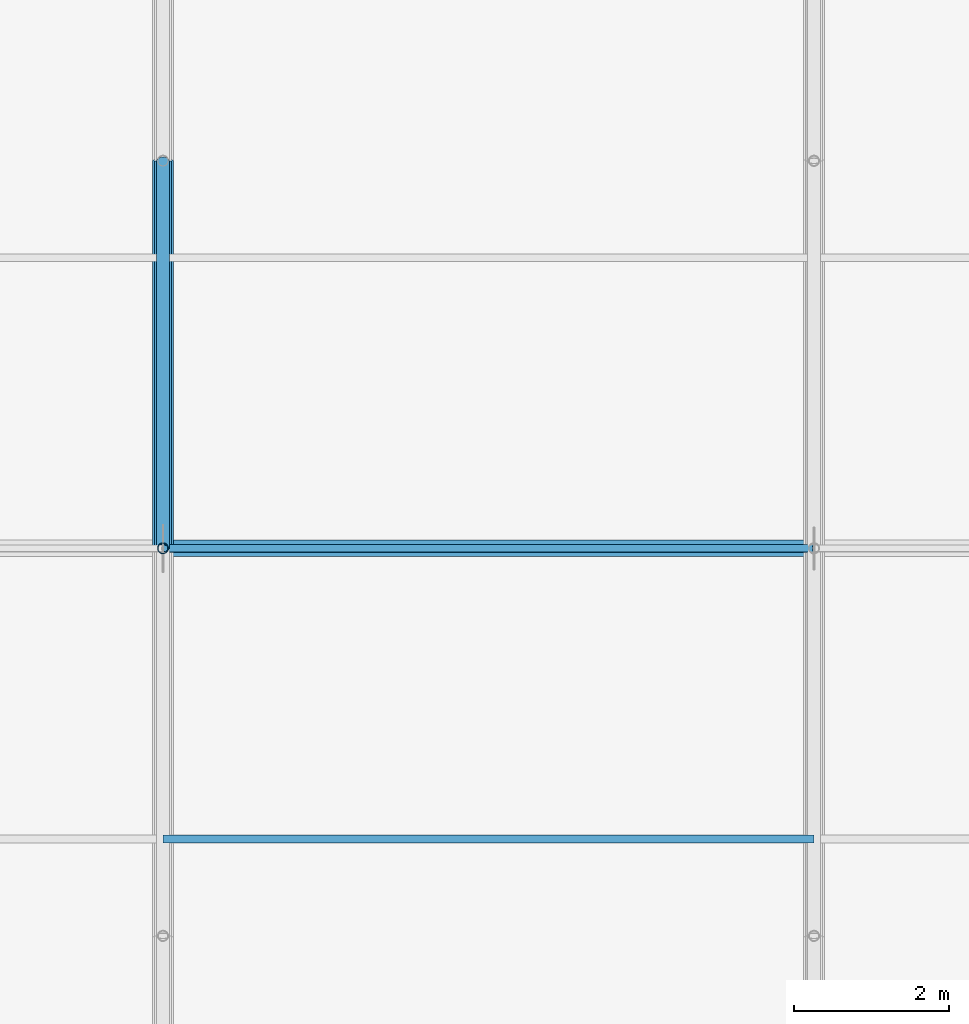
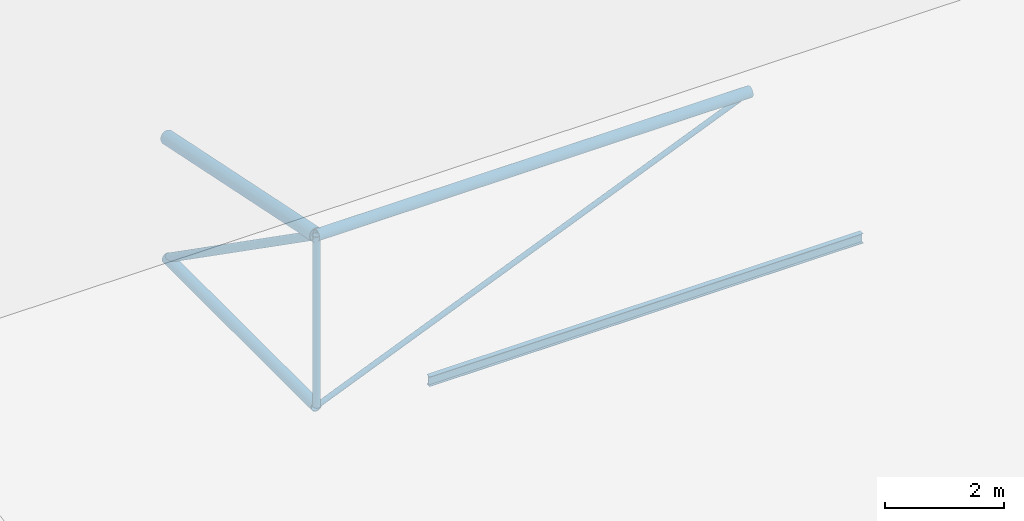
# One storey, part 77 of 194: 6 members, 1 beam.
"""IFC4 building model written with IfcOpenShell, lengths in metres."""

from ifc_helpers import new_model, si_unit, direction, frame, origin, origin_2d, place, context, subcontext, project, spatial, hollow_circle, i_section, extrude, material, material_profile, profile_set, type_object, element, save


model = new_model("IFC4")

# Units and contexts
model_context = context("Model", 3, precision=1e-05, world=origin(), true_north=direction((0.0, 1.0)))
body_context = subcontext(model_context, "Body", "Model", "MODEL_VIEW")
ifc_project = project(units=[si_unit("LENGTHUNIT", "METRE"), si_unit("AREAUNIT", "SQUARE_METRE"), si_unit("VOLUMEUNIT", "CUBIC_METRE"), si_unit("PLANEANGLEUNIT", "RADIAN"), si_unit("MASSUNIT", "GRAM", prefix="KILO")], contexts=[model_context])

# Site, building, storey
site_placement = place(None, origin())
site = spatial("IfcSite", under=ifc_project, at=site_placement, CompositionType="ELEMENT")
building_placement = place(site_placement, origin())
building = spatial("IfcBuilding", under=site, at=building_placement, Name="Kazenagashi Tramway Depot", CompositionType="ELEMENT")
storey_placement = place(building_placement, frame((0.0, 0.0, 23.7)))
storey = spatial("IfcBuildingStorey", under=building, at=storey_placement, Name="ROOF", CompositionType="ELEMENT", Elevation=23.7)

# Beam
ifc_material_1 = material(Name="Steel SN400B", Category="steel")
ifc_material_profile_1 = material_profile(ifc_material_1, i_section(OverallWidth=0.1, OverallDepth=0.2, WebThickness=0.0055, FlangeThickness=0.008, at=origin_2d()), Name="H-200x100x5.5x8")
ifc_profile_set_1 = profile_set([ifc_material_profile_1], Name="Steel SN400B")
beam_type = type_object("IfcBeamType", Name="PR-01", PredefinedType="USERDEFINED", material=ifc_profile_set_1)
beam_placement = place(storey_placement, frame((154.0, 81.25, -11.305), z_axis=(1.0, 0.0, 0.0), x_axis=(0.0, 1.0, 0.0)))
element("IfcBeam", 1, at=beam_placement, inside=storey, type_object=beam_type, Name="Beam PR-01 BM-2067", ObjectType="PURLIN", PredefinedType="USERDEFINED", context=body_context, shape_type="SweptSolid", body=[
    extrude(i_section(OverallWidth=0.1, OverallDepth=0.2, WebThickness=0.0055, FlangeThickness=0.008, at=origin_2d()), origin(), (0.0, 0.0, 1.0), 8.4),
])

# Members
ifc_material_2 = material(Name="Steel STK490", Category="steel")
ifc_material_profile_2 = material_profile(ifc_material_2, hollow_circle(Radius=0.1337, WallThickness=0.0093, at=origin_2d()), Name="CHS-267.4x9.3")
ifc_profile_set_2 = profile_set([ifc_material_profile_2], Name="Steel STK490")
member_type_1 = type_object("IfcMemberType", Name="TC-01", PredefinedType="CHORD", material=ifc_profile_set_2)
member_1_placement = place(storey_placement, frame((154.0, 85.0, -10.6), z_axis=(0.0, 0.979317999984, -0.202327098797), x_axis=(-1.0, 0.0, 0.0)))
element("IfcMember", 2, at=member_1_placement, inside=storey, type_object=member_type_1, Name="Tubular Space Frame TC-01 MEM-0803", PredefinedType="CHORD", context=body_context, shape_type="SweptSolid", body=[
    extrude(hollow_circle(Radius=0.1337, WallThickness=0.0093, at=origin_2d()), origin(), (0.0, 0.0, 1.0), 5.105594),
])
ifc_material_profile_3 = material_profile(ifc_material_2, hollow_circle(Radius=0.10815, WallThickness=0.0082, at=origin_2d()), Name="CHS-216.3x8.2")
ifc_profile_set_3 = profile_set([ifc_material_profile_3], Name="Steel STK490")
member_type_2 = type_object("IfcMemberType", Name="TC-02", PredefinedType="CHORD", material=ifc_profile_set_3)
member_2_placement = place(storey_placement, frame((154.0, 85.0, -14.1), z_axis=(0.0, 1.0, 0.0), x_axis=(-1.0, 0.0, 0.0)))
element("IfcMember", 3, at=member_2_placement, inside=storey, type_object=member_type_2, Name="Tubular Space Frame TC-02 MEM-0804", PredefinedType="CHORD", context=body_context, shape_type="SweptSolid", body=[
    extrude(hollow_circle(Radius=0.10815, WallThickness=0.0082, at=origin_2d()), origin(), (0.0, 0.0, 1.0), 5.0),
])
member_3_placement = place(storey_placement, frame((154.0, 85.0, -10.6), z_axis=(1.0, 0.0, 0.0), x_axis=(0.0, 1.0, 0.0)))
element("IfcMember", 4, at=member_3_placement, inside=storey, type_object=member_type_2, Name="Tubular Space Frame TC-02 MEM-0821", PredefinedType="CHORD", context=body_context, shape_type="SweptSolid", body=[
    extrude(hollow_circle(Radius=0.10815, WallThickness=0.0082, at=origin_2d()), origin(), (0.0, 0.0, 1.0), 8.4),
])
ifc_material_profile_4 = material_profile(ifc_material_2, hollow_circle(Radius=0.0826, WallThickness=0.0071, at=origin_2d()), Name="CHS-165.2x7.1")
ifc_profile_set_4 = profile_set([ifc_material_profile_4], Name="Steel STK490")
member_type_3 = type_object("IfcMemberType", Name="TS-01", PredefinedType="STRUT", material=ifc_profile_set_4)
member_4_placement = place(storey_placement, frame((154.0, 85.0, -10.6), z_axis=(0.0, 0.819231920519, -0.573462344363), x_axis=(-1.0, 0.0, 0.0)))
element("IfcMember", 5, at=member_4_placement, inside=storey, type_object=member_type_3, Name="Tubular Space Frame TS-01 MEM-0805", PredefinedType="STRUT", context=body_context, shape_type="SweptSolid", body=[
    extrude(hollow_circle(Radius=0.0826, WallThickness=0.0071, at=origin_2d()), origin(), (0.0, 0.0, 1.0), 6.103278),
])
ifc_material_profile_5 = material_profile(ifc_material_2, hollow_circle(Radius=0.0699, WallThickness=0.0066, at=origin_2d()), Name="CHS-139.8x6.6")
ifc_profile_set_5 = profile_set([ifc_material_profile_5], Name="Steel STK490")
member_type_4 = type_object("IfcMemberType", Name="TS-02", PredefinedType="STRUT", material=ifc_profile_set_5)
member_5_placement = place(storey_placement, frame((154.0, 85.0, -14.1), z_axis=(0.0, 0.0, 1.0), x_axis=(1.0, 0.0, 0.0)))
element("IfcMember", 6, at=member_5_placement, inside=storey, type_object=member_type_4, Name="Tubular Space Frame TS-02 MEM-0815", PredefinedType="STRUT", context=body_context, shape_type="SweptSolid", body=[
    extrude(hollow_circle(Radius=0.0699, WallThickness=0.0066, at=origin_2d()), origin(), (0.0, 0.0, 1.0), 3.5),
])
ifc_material_3 = material(Name="Steel STK400", Category="steel")
ifc_material_profile_6 = material_profile(ifc_material_3, hollow_circle(Radius=0.0508, WallThickness=0.0042, at=origin_2d()), Name="CHS-101.6x4.2")
ifc_profile_set_6 = profile_set([ifc_material_profile_6], Name="Steel STK400")
member_type_5 = type_object("IfcMemberType", Name="TS-06", PredefinedType="STRUT", material=ifc_profile_set_6)
member_6_placement = place(storey_placement, frame((154.0, 85.0, -14.1), z_axis=(0.923076923077, 0.0, 0.384615384615), x_axis=(0.0, 1.0, 0.0)))
element("IfcMember", 7, at=member_6_placement, inside=storey, type_object=member_type_5, Name="Tubular Space Frame TS-06 MEM-0822", PredefinedType="STRUT", context=body_context, shape_type="SweptSolid", body=[
    extrude(hollow_circle(Radius=0.0508, WallThickness=0.0042, at=origin_2d()), origin(), (0.0, 0.0, 1.0), 9.1),
])

save(model, "model.ifc")
